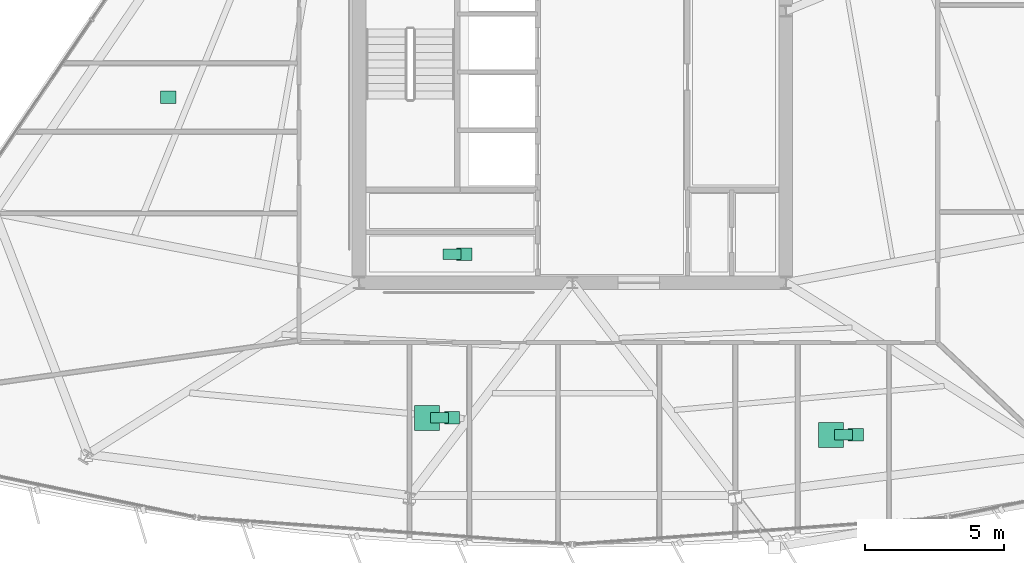
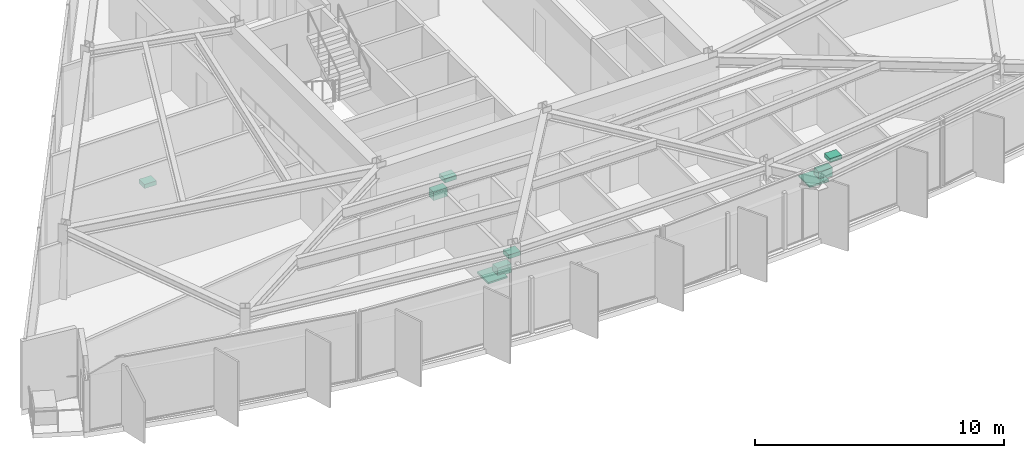
# One storey, part 15 of 15: 9 sanitary terminals.
"""IFC4 building model written with IfcOpenShell, lengths in metres."""

import ifcopenshell
import ifcopenshell.guid

model = None  # the IFC model being written
_history = None  # IfcOwnerHistory: only IFC2X3 demands one
_inside = {}  # id of a spatial element -> (the spatial element, [elements in it])
_under = {}  # id of a project, library or spatial element -> (it, [spatial elements below it])
_declared = {}  # id of a project -> (the project, [libraries it declares])
_typed = {}  # id of a type object -> (the type object, [elements of that type])
_made_of = {}  # id of a material, layer set ... -> (it, [elements and type objects made of it])


def new_model(schema):
    """Start an empty IFC model of exactly this schema.

    Asked for "IFC4X3", IfcOpenShell would pick the latest addendum, in which some entities
    have other attributes; the version numbers below select the first issue.
    IFC2X3 requires an IfcOwnerHistory on every rooted entity: one is made here for all.
    """
    global model, _history
    if schema == "IFC4X3":
        model = ifcopenshell.file(schema_version=(4, 3, 0, 0))
    else:
        model = ifcopenshell.file(schema=schema)
    _inside.clear()
    _under.clear()
    _declared.clear()
    _typed.clear()
    _made_of.clear()
    _history = None
    if model.schema == "IFC2X3":
        org = make("IfcOrganization", Name="unknown")
        user = make(
            "IfcPersonAndOrganization",
            ThePerson=make("IfcPerson", FamilyName="unknown"),
            TheOrganization=org,
        )
        app = make(
            "IfcApplication",
            ApplicationDeveloper=org,
            Version="unknown",
            ApplicationFullName="unknown",
            ApplicationIdentifier="unknown",
        )
        _history = make(
            "IfcOwnerHistory",
            OwningUser=user,
            OwningApplication=app,
            ChangeAction="ADDED",
            CreationDate=0,
        )
    return model


def make(cls, **values):
    """One entity of the class cls with the attributes given. An attribute that is None is left unset."""
    return model.create_entity(
        cls, **{name: value for name, value in values.items() if value is not None}
    )


def rooted(cls, **values):
    """An entity with a GlobalId (a new one), such as an element, a storey or a relation."""
    return make(cls, GlobalId=ifcopenshell.guid.new(), OwnerHistory=_history, **values)


def si_unit(unit_type, name, prefix=None):
    """IfcSIUnit, for example si_unit("LENGTHUNIT", "METRE", prefix="MILLI")."""
    return make("IfcSIUnit", UnitType=unit_type, Prefix=prefix, Name=name)


def assignment(units):
    """IfcUnitAssignment: the units of a project."""
    return None if units is None else make("IfcUnitAssignment", Units=units)


def point(xyz):
    """IfcCartesianPoint."""
    return None if xyz is None else make("IfcCartesianPoint", Coordinates=xyz)


def direction(xyz):
    """IfcDirection."""
    return None if xyz is None else make("IfcDirection", DirectionRatios=xyz)


def frame(location, z_axis=None, x_axis=None):
    """IfcAxis2Placement3D, a coordinate frame: its origin and axes. An axis left out is left unset."""
    return make(
        "IfcAxis2Placement3D",
        Location=point(location),
        Axis=direction(z_axis),
        RefDirection=direction(x_axis),
    )


def frame_2d(location, x_axis=None):
    """IfcAxis2Placement2D, a coordinate frame in the plane: its origin and x axis."""
    return make(
        "IfcAxis2Placement2D", Location=point(location), RefDirection=direction(x_axis)
    )


def origin():
    """The frame at (0, 0, 0) with its axes left unset."""
    return frame((0.0, 0.0, 0.0))


def origin_2d():
    """The frame at (0, 0) in the plane with its x axis left unset."""
    return frame_2d((0.0, 0.0))


def place(relative_to, where):
    """IfcLocalPlacement: puts the frame where relative to a parent placement (None: the world)."""
    return make(
        "IfcLocalPlacement", PlacementRelTo=relative_to, RelativePlacement=where
    )


def context(
    kind, dimensions, precision=None, world=None, true_north=None, identifier=None
):
    """IfcGeometricRepresentationContext, for example the 3D "Model" context."""
    return make(
        "IfcGeometricRepresentationContext",
        ContextIdentifier=identifier,
        ContextType=kind,
        CoordinateSpaceDimension=dimensions,
        Precision=precision,
        WorldCoordinateSystem=world,
        TrueNorth=true_north,
    )


def subcontext(parent, identifier, kind, view, scale=None):
    """IfcGeometricRepresentationSubContext, for example "Body" below "Model"."""
    return make(
        "IfcGeometricRepresentationSubContext",
        ContextIdentifier=identifier,
        ContextType=kind,
        ParentContext=parent,
        TargetScale=scale,
        TargetView=view,
    )


def project(units=None, contexts=None):
    """IfcProject with its units and contexts."""
    return rooted(
        "IfcProject",
        Name="project",
        RepresentationContexts=contexts,
        UnitsInContext=assignment(units),
    )


def spatial(cls, under=None, at=None, **own):
    """A site, building, storey or space (cls), placed at a placement, below another one or the project."""
    s = rooted(cls, ObjectPlacement=at, **own)
    if under is not None:
        _under.setdefault(under.id(), (under, []))[1].append(s)
    return s


def profile(cls, at=None, kind="AREA", **sizes):
    """A parametric profile (cls). Its sizes go by their IFC names, for example OverallWidth=200.0."""
    return make(cls, ProfileType=kind, Position=at, **sizes)


def rectangle(**sizes):
    """IfcRectangleProfileDef."""
    return profile("IfcRectangleProfileDef", **sizes)


def extrude(swept, where, along, depth):
    """IfcExtrudedAreaSolid: the profile swept, set in the frame where, extruded along a direction by depth."""
    return make(
        "IfcExtrudedAreaSolid",
        SweptArea=swept,
        Position=where,
        ExtrudedDirection=direction(along),
        Depth=depth,
    )


def shape(context_of_items, identifier, shape_type, items):
    """IfcShapeRepresentation: the items that make up one representation, for example the "Body"."""
    return make(
        "IfcShapeRepresentation",
        ContextOfItems=context_of_items,
        RepresentationIdentifier=identifier,
        RepresentationType=shape_type,
        Items=items,
    )


def material(Name=None, Category=None):
    """IfcMaterial."""
    return make("IfcMaterial", Name=Name, Category=Category)


def made_of(thing, what):
    """Note that an element or type object is made of a material, layer set ...; save() writes the relation."""
    if what is not None:
        _made_of.setdefault(what.id(), (what, []))[1].append(thing)
    return thing


def type_object(cls, material=None, **own):
    """A type object (cls), such as IfcWallType, which elements share."""
    return made_of(rooted(cls, **own), material)


def element(
    cls,
    number,
    at=None,
    inside=None,
    cuts=None,
    type_object=None,
    material=None,
    context=None,
    identifier="Body",
    shape_type=None,
    held_by="IfcProductDefinitionShape",
    body=None,
    shapes=None,
    **own,
):
    """One element of the class cls, such as IfcWall. Its Tag is "e" and its number.

    at: its placement. inside: the storey or other place that contains it. cuts: it is an
    opening in that element (IfcRelVoidsElement). A single representation is given by context,
    identifier, shape_type and body (its items); several are given by shapes. held_by: the class
    of the entity that holds the representations. save() writes the other relations.
    """
    e = rooted(cls, Tag="e%d" % number, ObjectPlacement=at, **own)
    if body is not None:
        shapes = [shape(context, identifier, shape_type, body)]
    if shapes is not None:
        e.Representation = make(held_by, Representations=shapes)
    if inside is not None:
        _inside.setdefault(inside.id(), (inside, []))[1].append(e)
    if cuts is not None:
        rooted(
            "IfcRelVoidsElement", RelatingBuildingElement=cuts, RelatedOpeningElement=e
        )
    if type_object is not None:
        _typed.setdefault(type_object.id(), (type_object, []))[1].append(e)
    return made_of(e, material)


def aggregate(whole, parts):
    """IfcRelAggregates: a whole, such as a stair, and the parts it consists of."""
    return rooted("IfcRelAggregates", RelatingObject=whole, RelatedObjects=parts)


def save(model, path):
    """Write the relations noted so far, then the file.

    IfcRelAggregates (storeys below a building ...), IfcRelContainedInSpatialStructure (elements
    in a storey), IfcRelDefinesByType, IfcRelAssociatesMaterial and IfcRelDeclares: one each for
    every whole, place, type object, material and project.
    """
    for whole, parts in _under.values():
        aggregate(whole, parts)
    for where, things in _inside.values():
        rooted(
            "IfcRelContainedInSpatialStructure",
            RelatedElements=things,
            RelatingStructure=where,
        )
    for kind, things in _typed.values():
        rooted("IfcRelDefinesByType", RelatedObjects=things, RelatingType=kind)
    for what, things in _made_of.values():
        rooted("IfcRelAssociatesMaterial", RelatedObjects=things, RelatingMaterial=what)
    for by, libraries in _declared.values():
        rooted("IfcRelDeclares", RelatingContext=by, RelatedDefinitions=libraries)
    model.write(path)


model = new_model("IFC4")

# Units and contexts
model_context = context("Model", 3, precision=1e-05, world=origin(), true_north=direction((0.0, 1.0)))
body_context = subcontext(model_context, "Body", "Model", "MODEL_VIEW")
ifc_project = project(units=[si_unit("LENGTHUNIT", "METRE"), si_unit("AREAUNIT", "SQUARE_METRE"), si_unit("VOLUMEUNIT", "CUBIC_METRE"), si_unit("PLANEANGLEUNIT", "RADIAN"), si_unit("MASSUNIT", "GRAM", prefix="KILO")], contexts=[model_context])

# Site, building, storey
site_placement = place(None, origin())
site = spatial("IfcSite", under=ifc_project, at=site_placement, CompositionType="ELEMENT")
building_placement = place(site_placement, origin())
building = spatial("IfcBuilding", under=site, at=building_placement, Name="Savorim Split Tower", CompositionType="ELEMENT")
storey_placement = place(building_placement, frame((0.0, 0.0, 167.39990234375)))
storey = spatial("IfcBuildingStorey", under=building, at=storey_placement, Name="L44", CompositionType="ELEMENT", Elevation=167.39990234375)

# Sanitary terminals
ifc_material = material(Name="Vitreous China Sanitaryware")
sanitary_terminal_type_1 = type_object("IfcSanitaryTerminalType", Name="SAN-SHW-900", PredefinedType="SHOWER", material=ifc_material)
for number, where, z_axis, x_axis, name in (
    (1, (-5.245361328125, -14.276123046875, 0.0), (0.0, 0.0, 1.0), (1.0, 0.0, 0.0), "L44 Shared Bathroom Shower"),
    (2, (9.324951171875, -14.885498046875, 0.0), (0.0, 0.0, 1.0), (1.0, 0.0, 0.0), "L44 Shared Bathroom Shower"),
):
    element("IfcSanitaryTerminal", number, at=place(storey_placement, frame(where, z_axis=z_axis, x_axis=x_axis)), inside=storey, type_object=sanitary_terminal_type_1, Name=name, PredefinedType="SHOWER", context=body_context, shape_type="SweptSolid", body=[
        extrude(rectangle(XDim=0.89990234375, YDim=0.89990234375, at=origin_2d()), origin(), (0.0, 0.0, 1.0), 0.080078125),
    ])
sanitary_terminal_type_2 = type_object("IfcSanitaryTerminalType", Name="SAN-WC-PAN", PredefinedType="TOILETPAN", material=ifc_material)
for number, where, z_axis, x_axis, name in (
    (3, (-4.35009765625, -8.3701171875, 0.000244140625), (0.0, 0.0, 1.0), (1.0, 0.0, 0.0), "L44 Public WC WC Pan"),
    (4, (-4.79541015625, -14.276123046875, 0.000244140625), (0.0, 0.0, 1.0), (1.0, 0.0, 0.0), "L44 Shared Bathroom WC Pan"),
    (5, (9.77490234375, -14.885498046875, 0.000244140625), (0.0, 0.0, 1.0), (1.0, 0.0, 0.0), "L44 Shared Bathroom WC Pan"),
):
    element("IfcSanitaryTerminal", number, at=place(storey_placement, frame(where, z_axis=z_axis, x_axis=x_axis)), inside=storey, type_object=sanitary_terminal_type_2, Name=name, PredefinedType="TOILETPAN", context=body_context, shape_type="SweptSolid", body=[
        extrude(rectangle(XDim=0.64990234375, YDim=0.3798828125, at=origin_2d()), origin(), (0.0, 0.0, 1.0), 0.419921875),
    ])
sanitary_terminal_type_3 = type_object("IfcSanitaryTerminalType", Name="SAN-WHB-550", PredefinedType="WASHHANDBASIN", material=ifc_material)
for number, where, z_axis, x_axis, name in (
    (6, (-3.89990234375, -8.3701171875, 0.72021484375), (0.0, 0.0, 1.0), (1.0, 0.0, 0.0), "L44 Public WC Washhand Basin"),
    (7, (-14.58203125, -2.715087890625, 0.75), (0.0, 0.0, 1.0), (1.0, 0.0, 0.0), "L44 Shared Kitchen Utility Sink"),
    (8, (-4.34521484375, -14.276123046875, 0.72021484375), (0.0, 0.0, 1.0), (1.0, 0.0, 0.0), "L44 Shared Bathroom Washhand Basin"),
    (9, (10.22509765625, -14.885498046875, 0.72021484375), (0.0, 0.0, 1.0), (1.0, 0.0, 0.0), "L44 Shared Bathroom Washhand Basin"),
):
    element("IfcSanitaryTerminal", number, at=place(storey_placement, frame(where, z_axis=z_axis, x_axis=x_axis)), inside=storey, type_object=sanitary_terminal_type_3, Name=name, PredefinedType="WASHHANDBASIN", context=body_context, shape_type="SweptSolid", body=[
        extrude(rectangle(XDim=0.550048828125, YDim=0.449951171875, at=origin_2d()), origin(), (0.0, 0.0, 1.0), 0.199951171875),
    ])

save(model, "model.ifc")
